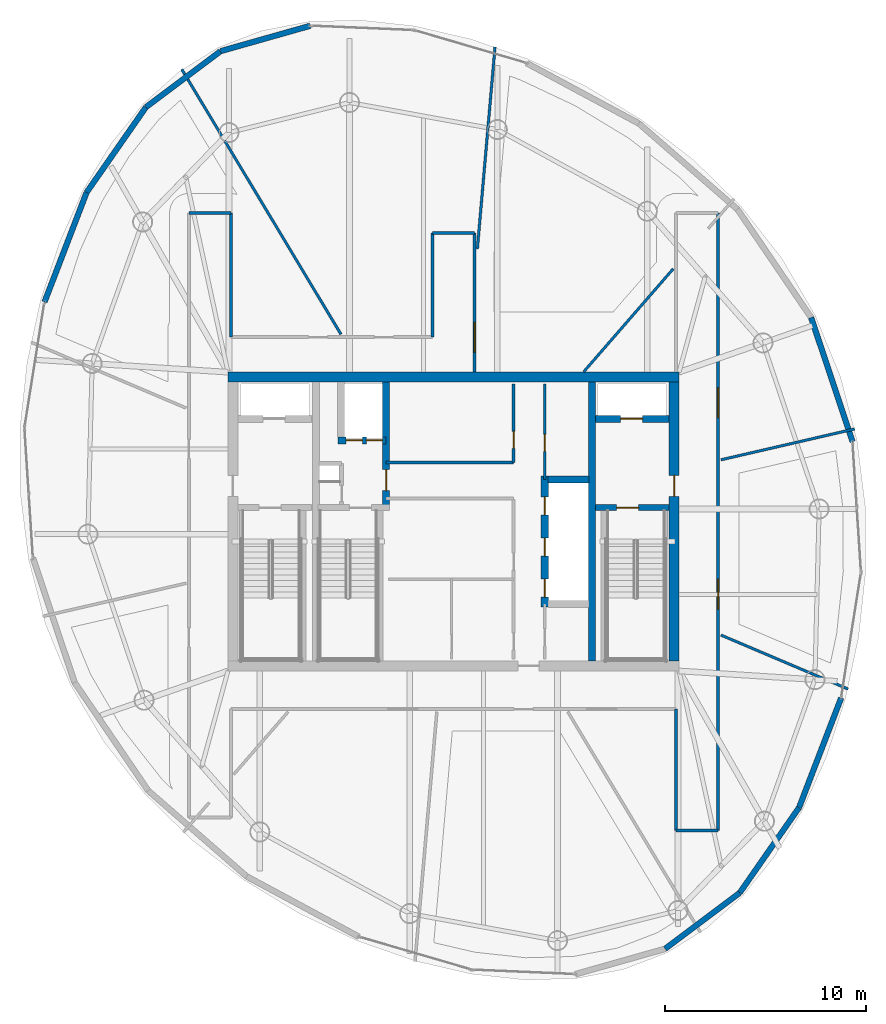
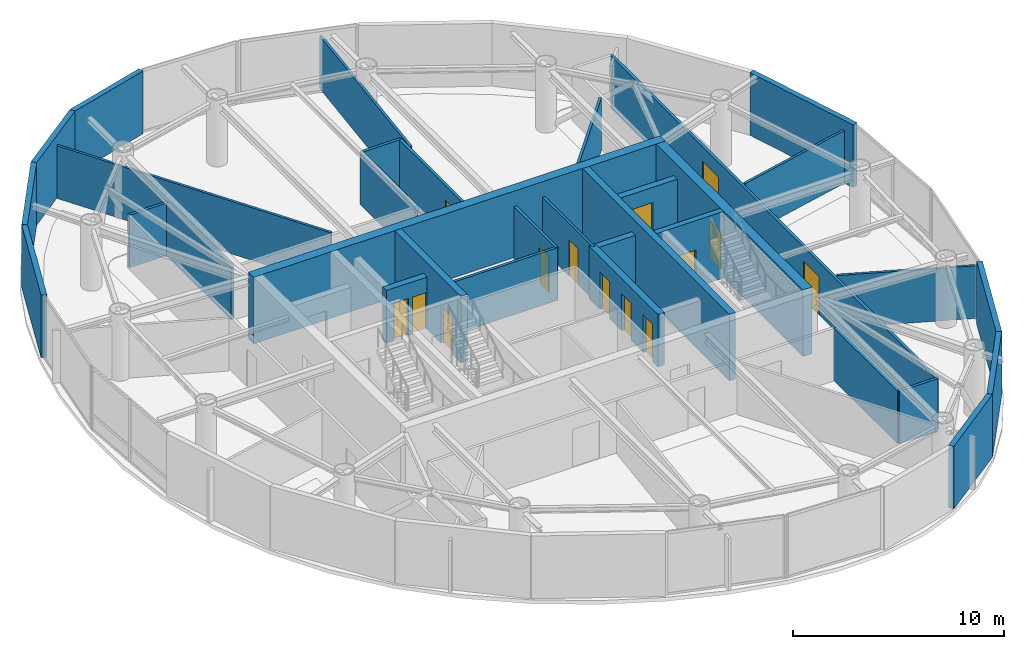
# One storey, part 14 of 18: 33 walls, 14 doors, 14 openings.
"""IFC4 building model written with IfcOpenShell, lengths in metres."""

from ifc_helpers import new_model, si_unit, direction, frame, frame_2d, origin, place, context, subcontext, project, spatial, rectangle, extrude, material, layer, layer_set, type_object, element, fill, save


model = new_model("IFC4")

# Units and contexts
model_context = context("Model", 3, precision=1e-05, world=origin(), true_north=direction((0.0, 1.0)))
body_context = subcontext(model_context, "Body", "Model", "MODEL_VIEW")
ifc_project = project(units=[si_unit("LENGTHUNIT", "METRE"), si_unit("AREAUNIT", "SQUARE_METRE"), si_unit("VOLUMEUNIT", "CUBIC_METRE"), si_unit("PLANEANGLEUNIT", "RADIAN"), si_unit("MASSUNIT", "GRAM", prefix="KILO")], contexts=[model_context])

# Site, building, storey
site_placement = place(None, origin())
site = spatial("IfcSite", under=ifc_project, at=site_placement, CompositionType="ELEMENT")
building_placement = place(site_placement, origin())
building = spatial("IfcBuilding", under=site, at=building_placement, Name="Bramvorn Convention Spire", CompositionType="ELEMENT")
storey_placement = place(building_placement, frame((0.0, 0.0, 288.25)))
storey = spatial("IfcBuildingStorey", under=building, at=storey_placement, Name="L73", CompositionType="ELEMENT", Elevation=288.25)

# Wall
ifc_material_1 = material(Name="Concrete C50/60", Category="concrete")
ifc_layer_1 = layer(ifc_material_1, 0.5)
ifc_layer_set_1 = layer_set([ifc_layer_1], Name="Concrete C50/60 - WL-CORE-500")
wall_type_1 = type_object("IfcWallType", Name="WL-CORE-500", PredefinedType="SHEAR", material=ifc_layer_set_1)
wall_1_placement = place(storey_placement, frame((26.75, 33.199951171875, 0.0), z_axis=(0.0, 0.0, 1.0), x_axis=(1.0, 0.0, 0.0)))
element("IfcWall", 1, at=wall_1_placement, inside=storey, type_object=wall_type_1, Name="L73 North RC core shear wall", PredefinedType="SHEAR", context=body_context, shape_type="SweptSolid", body=[
    extrude(rectangle(XDim=22.5, YDim=0.5, at=frame_2d((11.25, 0.0))), origin(), (0.0, 0.0, 1.0), 3.85009765625),
])

# Wall, opening, door
wall_2_placement = place(storey_placement, frame((49.0, 19.050048828125, 0.0), z_axis=(0.0, 0.0, 1.0), x_axis=(0.0, 1.0, 0.0)))
wall_2 = element("IfcWall", 2, at=wall_2_placement, inside=storey, type_object=wall_type_1, Name="L73 East RC core shear wall", PredefinedType="SHEAR", context=body_context, shape_type="SweptSolid", body=[
    extrude(rectangle(XDim=13.89990234375, YDim=0.5, at=frame_2d((6.949951171875, 0.0))), origin(), (0.0, 0.0, 1.0), 3.85009765625),
])
opening_1_placement = place(wall_2_placement, frame((8.199951171875, 0.0, 0.0)))
opening_1 = element("IfcOpeningElement", 3, at=opening_1_placement, cuts=wall_2, Name="Opening DL-105", PredefinedType="OPENING", context=body_context, shape_type="SweptSolid", body=[
    extrude(rectangle(XDim=1.050048828125, YDim=2.14990234375, at=frame_2d((0.52490234375, 1.074951171875))), frame((0.0, 0.260009765625, 0.0), z_axis=(0.0, -1.0, 0.0), x_axis=(1.0, 0.0, 0.0)), (0.0, 0.0, 1.0), 0.52001953125),
])
ifc_material_2 = material(Name="Smoke-Sealed Fire Lobby Timber-Core Door", Category="wood")
door_type_1 = type_object("IfcDoorType", Name="DR-LOBBY-1050", OperationType="NOTDEFINED", PredefinedType="DOOR", material=ifc_material_2)
door_1_placement = place(opening_1_placement, origin())
door_1 = element("IfcDoor", 4, at=door_1_placement, inside=storey, type_object=door_type_1, Name="L73 East Firefighting Lobby corridor door", OperationType="SINGLE_SWING_LEFT", OverallHeight=2.14990234375, OverallWidth=1.050048828125, PredefinedType="DOOR", context=body_context, shape_type="SweptSolid", body=[
    extrude(rectangle(XDim=1.050048828125, YDim=2.14990234375, at=frame_2d((0.52490234375, 1.074951171875))), frame((0.0, 0.02490234375, 0.0), z_axis=(0.0, -1.0, 0.0), x_axis=(1.0, 0.0, 0.0)), (0.0, 0.0, 1.0), 0.050048828125),
])
fill(opening_1, door_1)

# Wall
ifc_layer_2 = layer(ifc_material_1, 0.35009765625)
ifc_layer_set_2 = layer_set([ifc_layer_2], Name="Concrete C50/60 - WL-CORE-INT-350")
wall_type_2 = type_object("IfcWallType", Name="WL-CORE-INT-350", PredefinedType="SHEAR", material=ifc_layer_set_2)
wall_3_placement = place(storey_placement, frame((44.89990234375, 19.050048828125, 0.0), z_axis=(0.0, 0.0, 1.0), x_axis=(0.0, 1.0, 0.0)))
element("IfcWall", 5, at=wall_3_placement, inside=storey, type_object=wall_type_2, Name="L73 East internal core shear web", PredefinedType="SHEAR", context=body_context, shape_type="SweptSolid", body=[
    extrude(rectangle(XDim=13.89990234375, YDim=0.35009765625, at=frame_2d((6.949951171875, 0.0))), origin(), (0.0, 0.0, 1.0), 3.85009765625),
])

# Wall, opening, door
wall_4_placement = place(storey_placement, frame((45.080078125, 31.1201171875, 0.0), z_axis=(0.0, 0.0, 1.0), x_axis=(1.0, 0.0, 0.0)))
wall_4 = element("IfcWall", 6, at=wall_4_placement, inside=storey, type_object=wall_type_2, Name="L73 FE2 shaft front wall", PredefinedType="SHEAR", context=body_context, shape_type="SweptSolid", body=[
    extrude(rectangle(XDim=3.669921875, YDim=0.35009765625, at=frame_2d((1.8349609375, 0.0))), origin(), (0.0, 0.0, 1.0), 3.0400390625),
])
opening_2_placement = place(wall_4_placement, frame((1.25, 0.0, 0.0)))
opening_2 = element("IfcOpeningElement", 7, at=opening_2_placement, cuts=wall_4, Name="Opening LD-110", PredefinedType="OPENING", context=body_context, shape_type="SweptSolid", body=[
    extrude(rectangle(XDim=1.10009765625, YDim=2.14990234375, at=frame_2d((0.550048828125, 1.074951171875))), frame((0.0, 0.18505859375, 0.0), z_axis=(0.0, -1.0, 0.0), x_axis=(1.0, 0.0, 0.0)), (0.0, 0.0, 1.0), 0.3701171875),
])
ifc_material_3 = material(Name="Firefighting & Service Lift Sliding Landing Door", Category="steel")
door_type_2 = type_object("IfcDoorType", Name="DR-LIFT-LD-1100", OperationType="NOTDEFINED", PredefinedType="DOOR", material=ifc_material_3)
door_2_placement = place(opening_2_placement, origin())
door_2 = element("IfcDoor", 8, at=door_2_placement, inside=storey, type_object=door_type_2, Name="L73 Lift FE2 Sliding Landing Door", OperationType="SLIDING_TO_LEFT", OverallHeight=2.14990234375, OverallWidth=1.10009765625, PredefinedType="DOOR", context=body_context, shape_type="SweptSolid", body=[
    extrude(rectangle(XDim=1.10009765625, YDim=2.14990234375, at=frame_2d((0.550048828125, 1.074951171875))), frame((0.0, 0.02490234375, 0.0), z_axis=(0.0, -1.0, 0.0), x_axis=(1.0, 0.0, 0.0)), (0.0, 0.0, 1.0), 0.050048828125),
])
fill(opening_2, door_2)

wall_5_placement = place(storey_placement, frame((34.639892578125, 26.68994140625, 0.0), z_axis=(0.0, 0.0, 1.0), x_axis=(0.0, 1.0, 0.0)))
wall_5 = element("IfcWall", 9, at=wall_5_placement, inside=storey, type_object=wall_type_2, Name="L73 SV east core shaft wall", PredefinedType="SHEAR", context=body_context, shape_type="SweptSolid", body=[
    extrude(rectangle(XDim=6.260009765625, YDim=0.35009765625, at=frame_2d((3.1298828125, 0.0))), origin(), (0.0, 0.0, 1.0), 3.85009765625),
])
opening_3_placement = place(wall_5_placement, frame((0.85009765625, 0.0, 0.0)))
opening_3 = element("IfcOpeningElement", 10, at=opening_3_placement, cuts=wall_5, Name="Opening DL-105", PredefinedType="OPENING", context=body_context, shape_type="SweptSolid", body=[
    extrude(rectangle(XDim=1.050048828125, YDim=2.14990234375, at=frame_2d((0.52490234375, 1.074951171875))), frame((0.0, 0.18505859375, 0.0), z_axis=(0.0, -1.0, 0.0), x_axis=(1.0, 0.0, 0.0)), (0.0, 0.0, 1.0), 0.3701171875),
])
door_3_placement = place(opening_3_placement, origin())
door_3 = element("IfcDoor", 11, at=door_3_placement, inside=storey, type_object=door_type_1, Name="L73 Core cross-passage door", OperationType="SINGLE_SWING_RIGHT", OverallHeight=2.14990234375, OverallWidth=1.050048828125, PredefinedType="DOOR", context=body_context, shape_type="SweptSolid", body=[
    extrude(rectangle(XDim=1.050048828125, YDim=2.14990234375, at=frame_2d((0.52490234375, 1.074951171875))), frame((0.0, 0.02490234375, 0.0), z_axis=(0.0, -1.0, 0.0), x_axis=(1.0, 0.0, 0.0)), (0.0, 0.0, 1.0), 0.050048828125),
])
fill(opening_3, door_3)

# Wall, openings, doors
wall_6_placement = place(storey_placement, frame((32.22998046875, 30.050048828125, 0.0), z_axis=(0.0, 0.0, 1.0), x_axis=(1.0, 0.0, 0.0)))
wall_6 = element("IfcWall", 12, at=wall_6_placement, inside=storey, type_object=wall_type_2, Name="L73 SV1/SV2 shaft front wall", PredefinedType="SHEAR", context=body_context, shape_type="SweptSolid", body=[
    extrude(rectangle(XDim=2.409912109375, YDim=0.35009765625, at=frame_2d((1.205078125, 0.0))), origin(), (0.0, 0.0, 1.0), 3.0400390625),
])
opening_4_placement = place(wall_6_placement, frame((0.419921875, 0.0, 0.0)))
opening_4 = element("IfcOpeningElement", 13, at=opening_4_placement, cuts=wall_6, Name="Opening LD-080", PredefinedType="OPENING", context=body_context, shape_type="SweptSolid", body=[
    extrude(rectangle(XDim=0.800048828125, YDim=2.14990234375, at=frame_2d((0.39990234375, 1.074951171875))), frame((0.0, 0.18505859375, 0.0), z_axis=(0.0, -1.0, 0.0), x_axis=(1.0, 0.0, 0.0)), (0.0, 0.0, 1.0), 0.3701171875),
])
opening_5_placement = place(wall_6_placement, frame((1.419921875, 0.0, 0.0)))
opening_5 = element("IfcOpeningElement", 14, at=opening_5_placement, cuts=wall_6, Name="Opening LD-080", PredefinedType="OPENING", context=body_context, shape_type="SweptSolid", body=[
    extrude(rectangle(XDim=0.800048828125, YDim=2.14990234375, at=frame_2d((0.39990234375, 1.074951171875))), frame((0.0, 0.18505859375, 0.0), z_axis=(0.0, -1.0, 0.0), x_axis=(1.0, 0.0, 0.0)), (0.0, 0.0, 1.0), 0.3701171875),
])
ifc_material_4 = material(Name="Service Lift Bi-Parting Landing Door", Category="steel")
door_type_3 = type_object("IfcDoorType", Name="DR-LIFT-LD-800", OperationType="NOTDEFINED", PredefinedType="DOOR", material=ifc_material_4)
door_4_placement = place(opening_4_placement, origin())
door_4 = element("IfcDoor", 15, at=door_4_placement, inside=storey, type_object=door_type_3, Name="L73 Lift SV1 Sliding Landing Door", OperationType="SLIDING_TO_LEFT", OverallHeight=2.14990234375, OverallWidth=0.800048828125, PredefinedType="DOOR", context=body_context, shape_type="SweptSolid", body=[
    extrude(rectangle(XDim=0.800048828125, YDim=2.14990234375, at=frame_2d((0.39990234375, 1.074951171875))), frame((0.0, 0.02490234375, 0.0), z_axis=(0.0, -1.0, 0.0), x_axis=(1.0, 0.0, 0.0)), (0.0, 0.0, 1.0), 0.050048828125),
])
fill(opening_4, door_4)
door_5_placement = place(opening_5_placement, origin())
door_5 = element("IfcDoor", 16, at=door_5_placement, inside=storey, type_object=door_type_3, Name="L73 Lift SV2 Sliding Landing Door", OperationType="SLIDING_TO_LEFT", OverallHeight=2.14990234375, OverallWidth=0.800048828125, PredefinedType="DOOR", context=body_context, shape_type="SweptSolid", body=[
    extrude(rectangle(XDim=0.800048828125, YDim=2.14990234375, at=frame_2d((0.39990234375, 1.074951171875))), frame((0.0, 0.02490234375, 0.0), z_axis=(0.0, -1.0, 0.0), x_axis=(1.0, 0.0, 0.0)), (0.0, 0.0, 1.0), 0.050048828125),
])
fill(opening_5, door_5)

wall_7_placement = place(storey_placement, frame((42.550048828125, 21.72998046875, 0.0), z_axis=(0.0, 0.0, 1.0), x_axis=(0.0, 1.0, 0.0)))
wall_7 = element("IfcWall", 17, at=wall_7_placement, inside=storey, type_object=wall_type_2, Name="L73 High-rise lift bank west wall", PredefinedType="SHEAR", context=body_context, shape_type="SweptSolid", body=[
    extrude(rectangle(XDim=6.5400390625, YDim=0.35009765625, at=frame_2d((3.27001953125, 0.0))), origin(), (0.0, 0.0, 1.0), 3.0400390625),
])
opening_6_placement = place(wall_7_placement, frame((0.5, 0.0, 0.0)))
opening_6 = element("IfcOpeningElement", 18, at=opening_6_placement, cuts=wall_7, Name="Opening LD-090", PredefinedType="OPENING", context=body_context, shape_type="SweptSolid", body=[
    extrude(rectangle(XDim=0.89990234375, YDim=2.14990234375, at=frame_2d((0.449951171875, 1.074951171875))), frame((0.0, 0.18505859375, 0.0), z_axis=(0.0, -1.0, 0.0), x_axis=(1.0, 0.0, 0.0)), (0.0, 0.0, 1.0), 0.3701171875),
])
opening_7_placement = place(wall_7_placement, frame((2.550048828125, 0.0, 0.0)))
opening_7 = element("IfcOpeningElement", 19, at=opening_7_placement, cuts=wall_7, Name="Opening LD-090", PredefinedType="OPENING", context=body_context, shape_type="SweptSolid", body=[
    extrude(rectangle(XDim=0.89990234375, YDim=2.14990234375, at=frame_2d((0.449951171875, 1.074951171875))), frame((0.0, 0.18505859375, 0.0), z_axis=(0.0, -1.0, 0.0), x_axis=(1.0, 0.0, 0.0)), (0.0, 0.0, 1.0), 0.3701171875),
])
opening_8_placement = place(wall_7_placement, frame((4.60009765625, 0.0, 0.0)))
opening_8 = element("IfcOpeningElement", 20, at=opening_8_placement, cuts=wall_7, Name="Opening LD-090", PredefinedType="OPENING", context=body_context, shape_type="SweptSolid", body=[
    extrude(rectangle(XDim=0.89990234375, YDim=2.14990234375, at=frame_2d((0.449951171875, 1.074951171875))), frame((0.0, 0.18505859375, 0.0), z_axis=(0.0, -1.0, 0.0), x_axis=(1.0, 0.0, 0.0)), (0.0, 0.0, 1.0), 0.3701171875),
])
ifc_material_5 = material(Name="Bi-Parting Fire-Rated Lift Landing Door", Category="steel")
door_type_4 = type_object("IfcDoorType", Name="DR-LIFT-LD-900", OperationType="NOTDEFINED", PredefinedType="DOOR", material=ifc_material_5)
door_6_placement = place(opening_6_placement, origin())
door_6 = element("IfcDoor", 21, at=door_6_placement, inside=storey, type_object=door_type_4, Name="L73 Lift PH1 Sliding Landing Door", OperationType="SLIDING_TO_LEFT", OverallHeight=2.14990234375, OverallWidth=0.89990234375, PredefinedType="DOOR", context=body_context, shape_type="SweptSolid", body=[
    extrude(rectangle(XDim=0.89990234375, YDim=2.14990234375, at=frame_2d((0.449951171875, 1.074951171875))), frame((0.0, 0.02490234375, 0.0), z_axis=(0.0, -1.0, 0.0), x_axis=(1.0, 0.0, 0.0)), (0.0, 0.0, 1.0), 0.050048828125),
])
fill(opening_6, door_6)
door_7_placement = place(opening_7_placement, origin())
door_7 = element("IfcDoor", 22, at=door_7_placement, inside=storey, type_object=door_type_4, Name="L73 Lift PH2 Sliding Landing Door", OperationType="SLIDING_TO_LEFT", OverallHeight=2.14990234375, OverallWidth=0.89990234375, PredefinedType="DOOR", context=body_context, shape_type="SweptSolid", body=[
    extrude(rectangle(XDim=0.89990234375, YDim=2.14990234375, at=frame_2d((0.449951171875, 1.074951171875))), frame((0.0, 0.02490234375, 0.0), z_axis=(0.0, -1.0, 0.0), x_axis=(1.0, 0.0, 0.0)), (0.0, 0.0, 1.0), 0.050048828125),
])
fill(opening_7, door_7)
door_8_placement = place(opening_8_placement, origin())
door_8 = element("IfcDoor", 23, at=door_8_placement, inside=storey, type_object=door_type_4, Name="L73 Lift PH3 Sliding Landing Door", OperationType="SLIDING_TO_LEFT", OverallHeight=2.14990234375, OverallWidth=0.89990234375, PredefinedType="DOOR", context=body_context, shape_type="SweptSolid", body=[
    extrude(rectangle(XDim=0.89990234375, YDim=2.14990234375, at=frame_2d((0.449951171875, 1.074951171875))), frame((0.0, 0.02490234375, 0.0), z_axis=(0.0, -1.0, 0.0), x_axis=(1.0, 0.0, 0.0)), (0.0, 0.0, 1.0), 0.050048828125),
])
fill(opening_8, door_8)

# Walls
wall_8_placement = place(storey_placement, frame((42.719970703125, 28.10009765625, 0.0), z_axis=(0.0, 0.0, 1.0), x_axis=(1.0, 0.0, 0.0)))
element("IfcWall", 24, at=wall_8_placement, inside=storey, type_object=wall_type_2, Name="L73 High-rise lift bank north wall", PredefinedType="SHEAR", context=body_context, shape_type="SweptSolid", body=[
    extrude(rectangle(XDim=2.030029296875, YDim=0.35009765625, at=frame_2d((1.01513671875, 0.0))), origin(), (0.0, 0.0, 1.0), 3.0400390625),
])
ifc_material_6 = material(Name="Precast Concrete C40/50 with Bronze Terracotta Rainscreen", Category="masonry")
ifc_layer_3 = layer(ifc_material_6, 0.300048828125)
ifc_layer_set_3 = layer_set([ifc_layer_3], Name="Precast Concrete C40/50 with Bronze Terracotta Rainscreen - WL-EXT-BRONZE-300")
wall_type_3 = type_object("IfcWallType", Name="WL-EXT-BRONZE-300", PredefinedType="SOLIDWALL", material=ifc_layer_set_3)
wall_9_placement = place(storey_placement, frame((52.27392578125, 7.48291015625, 0.0), z_axis=(0.0, 0.0, 1.0), x_axis=(-0.799735338647, -0.600352719756, 0.0)))
element("IfcWall", 25, at=wall_9_placement, inside=storey, type_object=wall_type_3, Name="L73 expressed bronze Gothic lancet pier wall 01", PredefinedType="SOLIDWALL", context=body_context, shape_type="SweptSolid", body=[
    extrude(rectangle(XDim=4.650634765625, YDim=0.280029296875, at=frame_2d((2.3251953125, 0.0))), origin(), (0.0, 0.0, 1.0), 3.625),
])
wall_10_placement = place(storey_placement, frame((55.233154296875, 11.7333984375, 0.0), z_axis=(0.0, 0.0, 1.0), x_axis=(-0.571372443158, -0.820690886509, 0.0)))
element("IfcWall", 26, at=wall_10_placement, inside=storey, type_object=wall_type_3, Name="L73 expressed bronze Gothic lancet pier wall 02", PredefinedType="SOLIDWALL", context=body_context, shape_type="SweptSolid", body=[
    extrude(rectangle(XDim=5.17919921875, YDim=0.280029296875, at=frame_2d((2.589599609375, 0.0))), origin(), (0.0, 0.0, 1.0), 3.625),
])
wall_11_placement = place(storey_placement, frame((57.333740234375, 17.203857421875, 0.0), z_axis=(0.0, 0.0, 1.0), x_axis=(-0.358468117359, -0.93354196951, 0.0)))
element("IfcWall", 27, at=wall_11_placement, inside=storey, type_object=wall_type_3, Name="L73 expressed bronze Gothic lancet pier wall 03", PredefinedType="SOLIDWALL", context=body_context, shape_type="SweptSolid", body=[
    extrude(rectangle(XDim=5.85986328125, YDim=0.280029296875, at=frame_2d((2.929931640625, 0.0))), origin(), (0.0, 0.0, 1.0), 3.625),
])
wall_12_placement = place(storey_placement, frame((55.8359375, 36.173583984375, 0.0), z_axis=(0.0, 0.0, 1.0), x_axis=(0.316822447312, -0.948484863811, 0.0)))
element("IfcWall", 28, at=wall_12_placement, inside=storey, type_object=wall_type_3, Name="L73 expressed bronze Gothic lancet pier wall 06", PredefinedType="SOLIDWALL", context=body_context, shape_type="SweptSolid", body=[
    extrude(rectangle(XDim=6.52685546875, YDim=0.280029296875, at=frame_2d((3.263427734375, 0.0))), origin(), (0.0, 0.0, 1.0), 3.625),
])
for number, where, z_axis, x_axis, name in (
    (29, (26.3798828125, 49.4599609375, 0.0), (0.0, 0.0, 1.0), (0.962198518844, 0.272349059728, 0.0), "L73 expressed bronze Gothic lancet pier wall 12"),
    (30, (22.66064453125, 46.667724609375, 0.0), (0.0, 0.0, 1.0), (0.799710133829, 0.600386293856, 0.0), "L73 expressed bronze Gothic lancet pier wall 13"),
):
    element("IfcWall", number, at=place(storey_placement, frame(where, z_axis=z_axis, x_axis=x_axis)), inside=storey, type_object=wall_type_3, Name=name, PredefinedType="SOLIDWALL", context=body_context, shape_type="SweptSolid", body=[
        extrude(rectangle(XDim=4.650634765625, YDim=0.280029296875, at=frame_2d((2.3251953125, 0.0))), origin(), (0.0, 0.0, 1.0), 3.625),
    ])
wall_13_placement = place(storey_placement, frame((19.701416015625, 42.417236328125, 0.0), z_axis=(0.0, 0.0, 1.0), x_axis=(0.571372443158, 0.820690886509, 0.0)))
element("IfcWall", 31, at=wall_13_placement, inside=storey, type_object=wall_type_3, Name="L73 expressed bronze Gothic lancet pier wall 14", PredefinedType="SOLIDWALL", context=body_context, shape_type="SweptSolid", body=[
    extrude(rectangle(XDim=5.17919921875, YDim=0.280029296875, at=frame_2d((2.589599609375, 0.0))), origin(), (0.0, 0.0, 1.0), 3.625),
])
wall_14_placement = place(storey_placement, frame((17.600830078125, 36.94677734375, 0.0), z_axis=(0.0, 0.0, 1.0), x_axis=(0.358468117359, 0.93354196951, 0.0)))
element("IfcWall", 32, at=wall_14_placement, inside=storey, type_object=wall_type_3, Name="L73 expressed bronze Gothic lancet pier wall 15", PredefinedType="SOLIDWALL", context=body_context, shape_type="SweptSolid", body=[
    extrude(rectangle(XDim=5.85986328125, YDim=0.280029296875, at=frame_2d((2.929931640625, 0.0))), origin(), (0.0, 0.0, 1.0), 3.625),
])

# Wall, opening, door
ifc_material_7 = material(Name="Metal-Stud Demountable Office Partition", Category="gypsum")
ifc_layer_4 = layer(ifc_material_7, 0.1298828125)
ifc_layer_set_4 = layer_set([ifc_layer_4], Name="Metal-Stud Demountable Office Partition - WL-PART-130")
wall_type_4 = type_object("IfcWallType", Name="WL-PART-130", PredefinedType="PARTITIONING", material=ifc_layer_set_4)
wall_15_placement = place(storey_placement, frame((42.550048828125, 28.10009765625, 0.0), z_axis=(0.0, 0.0, 1.0), x_axis=(0.0, 1.0, 0.0)))
wall_15 = element("IfcWall", 33, at=wall_15_placement, inside=storey, type_object=wall_type_4, Name="L73 KA NE IDF wall", PredefinedType="PARTITIONING", context=body_context, shape_type="SweptSolid", body=[
    extrude(rectangle(XDim=4.75, YDim=0.1298828125, at=frame_2d((2.375, 0.0))), origin(), (0.0, 0.0, 1.0), 3.0400390625),
])
opening_9_placement = place(wall_15_placement, frame((1.39990234375, 0.0, 0.0)))
opening_9 = element("IfcOpeningElement", 34, at=opening_9_placement, cuts=wall_15, Name="Opening DC-085", PredefinedType="OPENING", context=body_context, shape_type="SweptSolid", body=[
    extrude(rectangle(XDim=0.85009765625, YDim=2.10009765625, at=frame_2d((0.425048828125, 1.050048828125))), frame((0.0, 0.074951171875, 0.0), z_axis=(0.0, -1.0, 0.0), x_axis=(1.0, 0.0, 0.0)), (0.0, 0.0, 1.0), 0.14990234375),
])
ifc_material_8 = material(Name="Fire-Rated Core Washroom & IDF Door", Category="wood")
door_type_5 = type_object("IfcDoorType", Name="DR-CORE-850", OperationType="NOTDEFINED", PredefinedType="DOOR", material=ifc_material_8)
door_9_placement = place(opening_9_placement, origin())
door_9 = element("IfcDoor", 35, at=door_9_placement, inside=storey, type_object=door_type_5, Name="L73 Core IDF & BMS Room door", OperationType="SINGLE_SWING_LEFT", OverallHeight=2.10009765625, OverallWidth=0.85009765625, PredefinedType="DOOR", context=body_context, shape_type="SweptSolid", body=[
    extrude(rectangle(XDim=0.85009765625, YDim=2.10009765625, at=frame_2d((0.425048828125, 1.050048828125))), frame((0.0, 0.02490234375, 0.0), z_axis=(0.0, -1.0, 0.0), x_axis=(1.0, 0.0, 0.0)), (0.0, 0.0, 1.0), 0.050048828125),
])
fill(opening_9, door_9)

# Walls
wall_16_placement = place(storey_placement, frame((51.340087890625, 29.079833984375, 0.0), z_axis=(0.0, 0.0, 1.0), x_axis=(0.974372567163, 0.224940215081, 0.0)))
element("IfcWall", 36, at=wall_16_placement, inside=storey, type_object=wall_type_4, Name="L73 Tenant suite partition 1", PredefinedType="PARTITIONING", context=body_context, shape_type="SweptSolid", body=[
    extrude(rectangle(XDim=6.8486328125, YDim=0.1298828125, at=frame_2d((3.42431640625, 0.0))), origin(), (0.0, 0.0, 1.0), 3.0400390625),
])
wall_17_placement = place(storey_placement, frame((44.49365234375, 33.469970703125, 0.0), z_axis=(0.0, 0.0, 1.0), x_axis=(0.656056181598, 0.754712055414, 0.0)))
element("IfcWall", 37, at=wall_17_placement, inside=storey, type_object=wall_type_4, Name="L73 Tenant suite partition 2", PredefinedType="PARTITIONING", context=body_context, shape_type="SweptSolid", body=[
    extrude(rectangle(XDim=6.807861328125, YDim=0.1298828125, at=frame_2d((3.40380859375, 0.0))), origin(), (0.0, 0.0, 1.0), 3.0400390625),
])
wall_18_placement = place(storey_placement, frame((39.18994140625, 39.601806640625, 0.0), z_axis=(0.0, 0.0, 1.0), x_axis=(0.087146287499, 0.996195525274, 0.0)))
element("IfcWall", 38, at=wall_18_placement, inside=storey, type_object=wall_type_4, Name="L73 Tenant suite partition 3", PredefinedType="PARTITIONING", context=body_context, shape_type="SweptSolid", body=[
    extrude(rectangle(XDim=10.113525390625, YDim=0.1298828125, at=frame_2d((5.056640625, 0.0))), origin(), (0.0, 0.0, 1.0), 3.0400390625),
])
wall_19_placement = place(storey_placement, frame((32.387939453125, 35.340087890625, 0.0), z_axis=(0.0, 0.0, 1.0), x_axis=(-0.515038105657, 0.857167282227, 0.0)))
element("IfcWall", 39, at=wall_19_placement, inside=storey, type_object=wall_type_4, Name="L73 Tenant suite partition 4", PredefinedType="PARTITIONING", context=body_context, shape_type="SweptSolid", body=[
    extrude(rectangle(XDim=15.42138671875, YDim=0.1298828125, at=frame_2d((7.710693359375, 0.0))), origin(), (0.0, 0.0, 1.0), 3.0400390625),
])
wall_20_placement = place(storey_placement, frame((51.340087890625, 20.33740234375, 0.0), z_axis=(0.0, 0.0, 1.0), x_axis=(0.920508424037, -0.390722716612, 0.0)))
element("IfcWall", 40, at=wall_20_placement, inside=storey, type_object=wall_type_4, Name="L73 Tenant suite partition 10", PredefinedType="PARTITIONING", context=body_context, shape_type="SweptSolid", body=[
    extrude(rectangle(XDim=6.890869140625, YDim=0.1298828125, at=frame_2d((3.4453125, 0.0))), origin(), (0.0, 0.0, 1.0), 3.0400390625),
])
ifc_material_9 = material(Name="Acoustic Metal-Stud Tenant/Corridor Partition", Category="gypsum")
ifc_layer_5 = layer(ifc_material_9, 0.14990234375)
ifc_layer_set_5 = layer_set([ifc_layer_5], Name="Acoustic Metal-Stud Tenant/Corridor Partition - WL-PART-150")
wall_type_5 = type_object("IfcWallType", Name="WL-PART-150", PredefinedType="PARTITIONING", material=ifc_layer_set_5)
wall_21_placement = place(storey_placement, frame((34.639892578125, 28.949951171875, 0.0), z_axis=(0.0, 0.0, 1.0), x_axis=(1.0, 0.0, 0.0)))
element("IfcWall", 41, at=wall_21_placement, inside=storey, type_object=wall_type_5, Name="L73 Cross-core passage north wall", PredefinedType="PARTITIONING", context=body_context, shape_type="SweptSolid", body=[
    extrude(rectangle(XDim=6.360107421875, YDim=0.14990234375, at=frame_2d((3.18017578125, 0.0))), origin(), (0.0, 0.0, 1.0), 3.0400390625),
])

# Wall, opening, door
wall_22_placement = place(storey_placement, frame((41.0, 28.949951171875, 0.0), z_axis=(0.0, 0.0, 1.0), x_axis=(0.0, 1.0, 0.0)))
wall_22 = element("IfcWall", 42, at=wall_22_placement, inside=storey, type_object=wall_type_5, Name="L73 Freed north shaft room wall", PredefinedType="PARTITIONING", context=body_context, shape_type="SweptSolid", body=[
    extrude(rectangle(XDim=3.900146484375, YDim=0.14990234375, at=frame_2d((1.9501953125, 0.0))), origin(), (0.0, 0.0, 1.0), 3.0400390625),
])
opening_10_placement = place(wall_22_placement, frame((0.699951171875, 0.0, 0.0)))
opening_10 = element("IfcOpeningElement", 43, at=opening_10_placement, cuts=wall_22, Name="Opening DC-085", PredefinedType="OPENING", context=body_context, shape_type="SweptSolid", body=[
    extrude(rectangle(XDim=0.85009765625, YDim=2.10009765625, at=frame_2d((0.425048828125, 1.050048828125))), frame((0.0, 0.0849609375, 0.0), z_axis=(0.0, -1.0, 0.0), x_axis=(1.0, 0.0, 0.0)), (0.0, 0.0, 1.0), 0.169921875),
])
door_10_placement = place(opening_10_placement, origin())
door_10 = element("IfcDoor", 44, at=door_10_placement, inside=storey, type_object=door_type_5, Name="L73 North core archive door", OperationType="SINGLE_SWING_LEFT", OverallHeight=2.10009765625, OverallWidth=0.85009765625, PredefinedType="DOOR", context=body_context, shape_type="SweptSolid", body=[
    extrude(rectangle(XDim=0.85009765625, YDim=2.10009765625, at=frame_2d((0.425048828125, 1.050048828125))), frame((0.0, 0.02490234375, 0.0), z_axis=(0.0, -1.0, 0.0), x_axis=(1.0, 0.0, 0.0)), (0.0, 0.0, 1.0), 0.050048828125),
])
fill(opening_10, door_10)

# Walls
wall_23_placement = place(storey_placement, frame((26.89990234375, 35.199951171875, 0.0), z_axis=(0.0, 0.0, 1.0), x_axis=(0.0, 1.0, 0.0)))
element("IfcWall", 45, at=wall_23_placement, inside=storey, type_object=wall_type_5, Name="L73 West gallery NE wall", PredefinedType="PARTITIONING", context=body_context, shape_type="SweptSolid", body=[
    extrude(rectangle(XDim=6.199951171875, YDim=0.14990234375, at=frame_2d((3.10009765625, 0.0))), origin(), (0.0, 0.0, 1.0), 3.0400390625),
])
wall_24_placement = place(storey_placement, frame((24.800048828125, 41.39990234375, 0.0), z_axis=(0.0, 0.0, 1.0), x_axis=(1.0, 0.0, 0.0)))
element("IfcWall", 46, at=wall_24_placement, inside=storey, type_object=wall_type_5, Name="L73 West gallery north end", PredefinedType="PARTITIONING", context=body_context, shape_type="SweptSolid", body=[
    extrude(rectangle(XDim=2.099853515625, YDim=0.14990234375, at=frame_2d((1.0498046875, 0.0))), origin(), (0.0, 0.0, 1.0), 3.0400390625),
])

# Wall, openings, doors
wall_25_placement = place(storey_placement, frame((51.199951171875, 10.60009765625, 0.0), z_axis=(0.0, 0.0, 1.0), x_axis=(0.0, 1.0, 0.0)))
wall_25 = element("IfcWall", 47, at=wall_25_placement, inside=storey, type_object=wall_type_5, Name="L73 East N-S gallery outer wall", PredefinedType="PARTITIONING", context=body_context, shape_type="SweptSolid", body=[
    extrude(rectangle(XDim=30.7998046875, YDim=0.14990234375, at=frame_2d((15.39990234375, 0.0))), origin(), (0.0, 0.0, 1.0), 3.0400390625),
])
opening_11_placement = place(wall_25_placement, frame((20.583984375, 0.0, 0.0)))
opening_11 = element("IfcOpeningElement", 48, at=opening_11_placement, cuts=wall_25, Name="Opening DC-150", PredefinedType="OPENING", context=body_context, shape_type="SweptSolid", body=[
    extrude(rectangle(XDim=1.5, YDim=2.199951171875, at=frame_2d((0.75, 1.10009765625))), frame((0.0, 0.0849609375, 0.0), z_axis=(0.0, -1.0, 0.0), x_axis=(1.0, 0.0, 0.0)), (0.0, 0.0, 1.0), 0.169921875),
])
opening_12_placement = place(wall_25_placement, frame((11.02978515625, 0.0, 0.0)))
opening_12 = element("IfcOpeningElement", 49, at=opening_12_placement, cuts=wall_25, Name="Opening DC-150", PredefinedType="OPENING", context=body_context, shape_type="SweptSolid", body=[
    extrude(rectangle(XDim=1.5, YDim=2.199951171875, at=frame_2d((0.75, 1.10009765625))), frame((0.0, 0.0849609375, 0.0), z_axis=(0.0, -1.0, 0.0), x_axis=(1.0, 0.0, 0.0)), (0.0, 0.0, 1.0), 0.169921875),
])
ifc_material_10 = material(Name="Double-Leaf Smoke-Control Corridor Door", Category="wood")
door_type_6 = type_object("IfcDoorType", Name="DR-COR-1500", OperationType="NOTDEFINED", PredefinedType="DOOR", material=ifc_material_10)
door_11_placement = place(opening_11_placement, origin())
door_11 = element("IfcDoor", 50, at=door_11_placement, inside=storey, type_object=door_type_6, Name="L73 Design Office Studio A 1 door", OperationType="DOUBLE_DOOR_SINGLE_SWING", OverallHeight=2.199951171875, OverallWidth=1.5, PredefinedType="DOOR", context=body_context, shape_type="SweptSolid", body=[
    extrude(rectangle(XDim=1.5, YDim=2.199951171875, at=frame_2d((0.75, 1.10009765625))), frame((0.0, 0.02490234375, 0.0), z_axis=(0.0, -1.0, 0.0), x_axis=(1.0, 0.0, 0.0)), (0.0, 0.0, 1.0), 0.050048828125),
])
fill(opening_11, door_11)
door_12_placement = place(opening_12_placement, origin())
door_12 = element("IfcDoor", 51, at=door_12_placement, inside=storey, type_object=door_type_6, Name="L73 Design Office Studio B 10 door", OperationType="DOUBLE_DOOR_SINGLE_SWING", OverallHeight=2.199951171875, OverallWidth=1.5, PredefinedType="DOOR", context=body_context, shape_type="SweptSolid", body=[
    extrude(rectangle(XDim=1.5, YDim=2.199951171875, at=frame_2d((0.75, 1.10009765625))), frame((0.0, 0.02490234375, 0.0), z_axis=(0.0, -1.0, 0.0), x_axis=(1.0, 0.0, 0.0)), (0.0, 0.0, 1.0), 0.050048828125),
])
fill(opening_12, door_12)

# Walls
wall_26_placement = place(storey_placement, frame((49.10009765625, 10.60009765625, 0.0), z_axis=(0.0, 0.0, 1.0), x_axis=(0.0, 1.0, 0.0)))
element("IfcWall", 52, at=wall_26_placement, inside=storey, type_object=wall_type_5, Name="L73 East gallery SW wall", PredefinedType="PARTITIONING", context=body_context, shape_type="SweptSolid", body=[
    extrude(rectangle(XDim=6.0498046875, YDim=0.14990234375, at=frame_2d((3.02490234375, 0.0))), origin(), (0.0, 0.0, 1.0), 3.0400390625),
])
wall_27_placement = place(storey_placement, frame((49.10009765625, 10.60009765625, 0.0), z_axis=(0.0, 0.0, 1.0), x_axis=(1.0, 0.0, 0.0)))
element("IfcWall", 53, at=wall_27_placement, inside=storey, type_object=wall_type_5, Name="L73 East gallery south end", PredefinedType="PARTITIONING", context=body_context, shape_type="SweptSolid", body=[
    extrude(rectangle(XDim=2.099853515625, YDim=0.14990234375, at=frame_2d((1.0498046875, 0.0))), origin(), (0.0, 0.0, 1.0), 3.0400390625),
])
wall_28_placement = place(storey_placement, frame((36.949951171875, 35.199951171875, 0.0), z_axis=(0.0, 0.0, 1.0), x_axis=(0.0, 1.0, 0.0)))
element("IfcWall", 54, at=wall_28_placement, inside=storey, type_object=wall_type_5, Name="L73 North spur west wall", PredefinedType="PARTITIONING", context=body_context, shape_type="SweptSolid", body=[
    extrude(rectangle(XDim=5.199951171875, YDim=0.14990234375, at=frame_2d((2.60009765625, 0.0))), origin(), (0.0, 0.0, 1.0), 3.0400390625),
])

# Wall, opening, door
wall_29_placement = place(storey_placement, frame((39.050048828125, 33.449951171875, 0.0), z_axis=(0.0, 0.0, 1.0), x_axis=(0.0, 1.0, 0.0)))
wall_29 = element("IfcWall", 55, at=wall_29_placement, inside=storey, type_object=wall_type_5, Name="L73 North spur east wall", PredefinedType="PARTITIONING", context=body_context, shape_type="SweptSolid", body=[
    extrude(rectangle(XDim=6.949951171875, YDim=0.14990234375, at=frame_2d((3.47509765625, 0.0))), origin(), (0.0, 0.0, 1.0), 3.0400390625),
])
opening_13_placement = place(wall_29_placement, frame((0.987548828125, 0.0, 0.0)))
opening_13 = element("IfcOpeningElement", 56, at=opening_13_placement, cuts=wall_29, Name="Opening DC-150", PredefinedType="OPENING", context=body_context, shape_type="SweptSolid", body=[
    extrude(rectangle(XDim=1.5, YDim=2.199951171875, at=frame_2d((0.75, 1.10009765625))), frame((0.0, 0.0849609375, 0.0), z_axis=(0.0, -1.0, 0.0), x_axis=(1.0, 0.0, 0.0)), (0.0, 0.0, 1.0), 0.169921875),
])
door_13_placement = place(opening_13_placement, origin())
door_13 = element("IfcDoor", 57, at=door_13_placement, inside=storey, type_object=door_type_6, Name="L73 Design Office Studio B 2 door", OperationType="DOUBLE_DOOR_SINGLE_SWING", OverallHeight=2.199951171875, OverallWidth=1.5, PredefinedType="DOOR", context=body_context, shape_type="SweptSolid", body=[
    extrude(rectangle(XDim=1.5, YDim=2.199951171875, at=frame_2d((0.75, 1.10009765625))), frame((0.0, 0.02490234375, 0.0), z_axis=(0.0, -1.0, 0.0), x_axis=(1.0, 0.0, 0.0)), (0.0, 0.0, 1.0), 0.050048828125),
])
fill(opening_13, door_13)

# Wall
wall_30_placement = place(storey_placement, frame((36.949951171875, 40.39990234375, 0.0), z_axis=(0.0, 0.0, 1.0), x_axis=(1.0, 0.0, 0.0)))
element("IfcWall", 58, at=wall_30_placement, inside=storey, type_object=wall_type_5, Name="L73 North spur end wall", PredefinedType="PARTITIONING", context=body_context, shape_type="SweptSolid", body=[
    extrude(rectangle(XDim=2.10009765625, YDim=0.14990234375, at=frame_2d((1.050048828125, 0.0))), origin(), (0.0, 0.0, 1.0), 3.0400390625),
])

# Wall, opening, door
ifc_layer_6 = layer(ifc_material_1, 0.300048828125)
ifc_layer_set_6 = layer_set([ifc_layer_6], Name="Concrete C50/60 - WL-POD-STAIR-300")
wall_type_6 = type_object("IfcWallType", Name="WL-POD-STAIR-300", PredefinedType="SHEAR", material=ifc_layer_set_6)
wall_31_placement = place(storey_placement, frame((45.080078125, 26.68994140625, 0.0), z_axis=(0.0, 0.0, 1.0), x_axis=(1.0, 0.0, 0.0)))
wall_31 = element("IfcWall", 59, at=wall_31_placement, inside=storey, type_object=wall_type_6, Name="L73 ST2 north fire wall", PredefinedType="SHEAR", context=body_context, shape_type="SweptSolid", body=[
    extrude(rectangle(XDim=3.669921875, YDim=0.300048828125, at=frame_2d((1.8349609375, 0.0))), origin(), (0.0, 0.0, 1.0), 3.85009765625),
])
opening_14_placement = place(wall_31_placement, frame((1.050048828125, 0.0, 0.0)))
opening_14 = element("IfcOpeningElement", 60, at=opening_14_placement, cuts=wall_31, Name="Opening DS-110", PredefinedType="OPENING", context=body_context, shape_type="SweptSolid", body=[
    extrude(rectangle(XDim=1.10009765625, YDim=2.14990234375, at=frame_2d((0.550048828125, 1.074951171875))), frame((0.0, 0.159912109375, 0.0), z_axis=(0.0, -1.0, 0.0), x_axis=(1.0, 0.0, 0.0)), (0.0, 0.0, 1.0), 0.320068359375),
])
ifc_material_11 = material(Name="Fire-Rated Hollow Steel Stairwell Door", Category="steel")
door_type_7 = type_object("IfcDoorType", Name="DR-STAIR-1100", OperationType="NOTDEFINED", PredefinedType="DOOR", material=ifc_material_11)
door_14_placement = place(opening_14_placement, origin())
door_14 = element("IfcDoor", 61, at=door_14_placement, inside=storey, type_object=door_type_7, Name="L73 Stair ST2 fire door", OperationType="SINGLE_SWING_RIGHT", OverallHeight=2.14990234375, OverallWidth=1.10009765625, PredefinedType="DOOR", context=body_context, shape_type="SweptSolid", body=[
    extrude(rectangle(XDim=1.10009765625, YDim=2.14990234375, at=frame_2d((0.550048828125, 1.074951171875))), frame((0.0, 0.02490234375, 0.0), z_axis=(0.0, -1.0, 0.0), x_axis=(1.0, 0.0, 0.0)), (0.0, 0.0, 1.0), 0.050048828125),
])
fill(opening_14, door_14)

save(model, "model.ifc")
